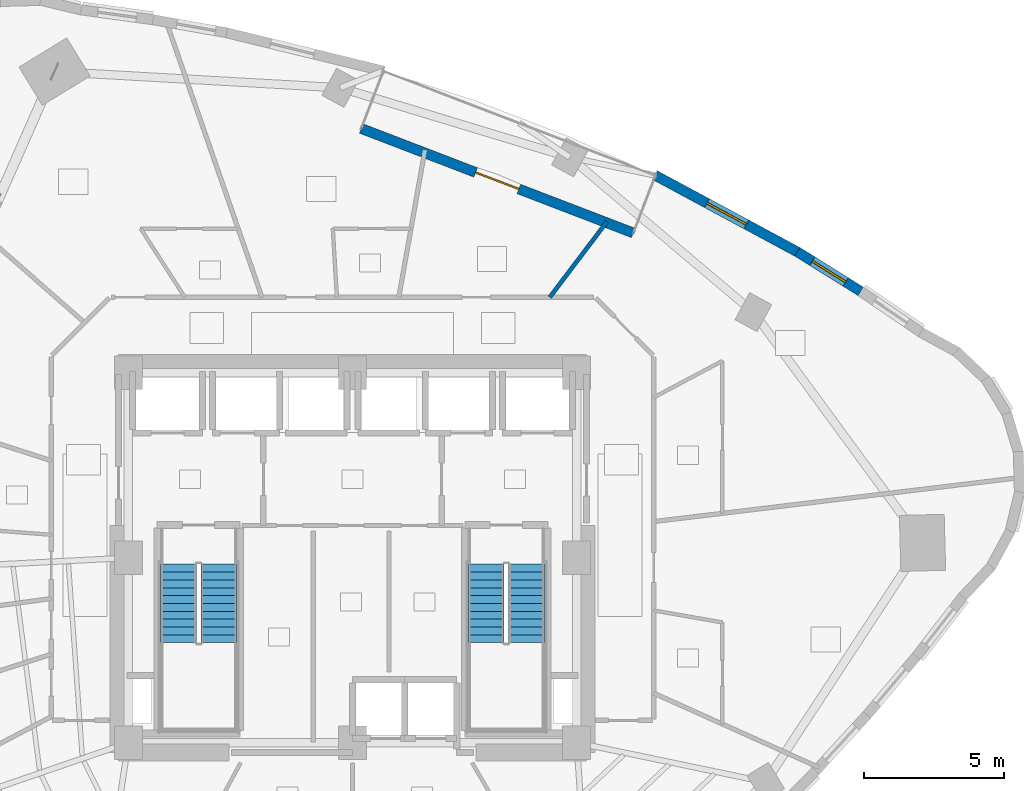
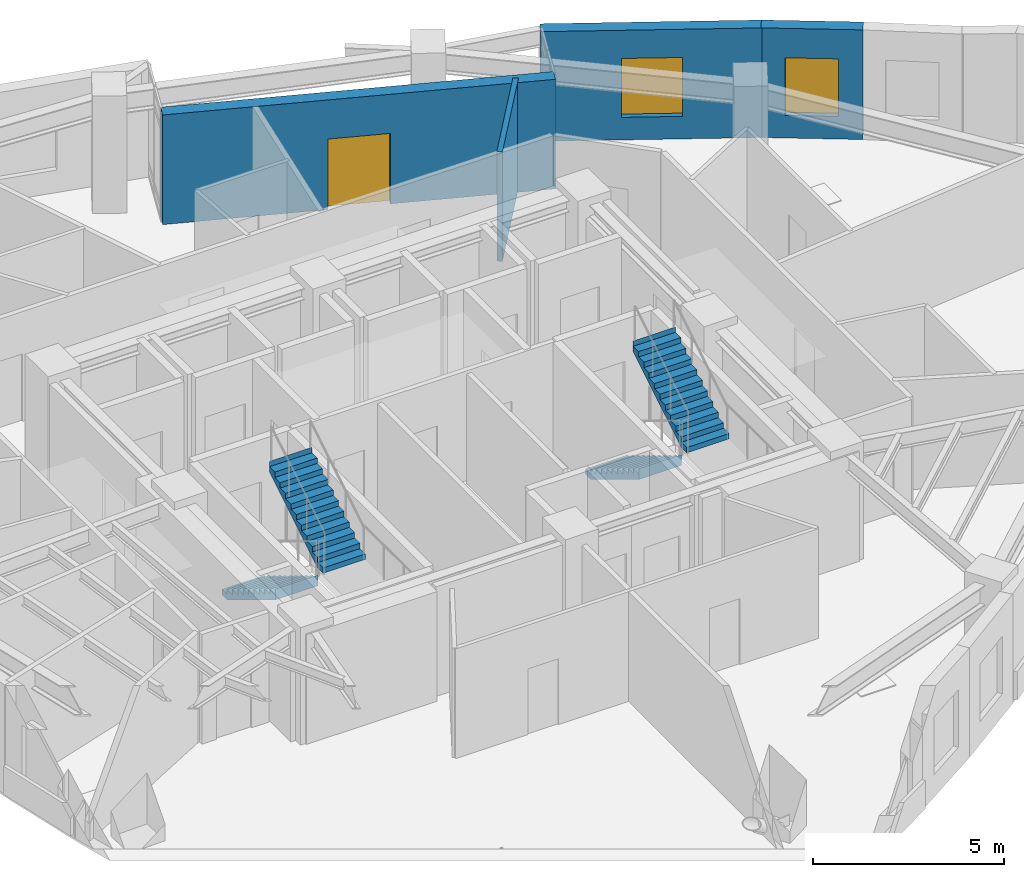
# One storey, part 10 of 13: 4 stair flights, 4 walls, 2 windows, 1 door, 3 openings, 2 elements without a shape of their own.
"""IFC4 building model written with IfcOpenShell, lengths in metres."""

import ifcopenshell
import ifcopenshell.guid

model = None  # the IFC model being written
_history = None  # IfcOwnerHistory: only IFC2X3 demands one
_inside = {}  # id of a spatial element -> (the spatial element, [elements in it])
_under = {}  # id of a project, library or spatial element -> (it, [spatial elements below it])
_declared = {}  # id of a project -> (the project, [libraries it declares])
_typed = {}  # id of a type object -> (the type object, [elements of that type])
_made_of = {}  # id of a material, layer set ... -> (it, [elements and type objects made of it])


def new_model(schema):
    """Start an empty IFC model of exactly this schema.

    Asked for "IFC4X3", IfcOpenShell would pick the latest addendum, in which some entities
    have other attributes; the version numbers below select the first issue.
    IFC2X3 requires an IfcOwnerHistory on every rooted entity: one is made here for all.
    """
    global model, _history
    if schema == "IFC4X3":
        model = ifcopenshell.file(schema_version=(4, 3, 0, 0))
    else:
        model = ifcopenshell.file(schema=schema)
    _inside.clear()
    _under.clear()
    _declared.clear()
    _typed.clear()
    _made_of.clear()
    _history = None
    if model.schema == "IFC2X3":
        org = make("IfcOrganization", Name="unknown")
        user = make(
            "IfcPersonAndOrganization",
            ThePerson=make("IfcPerson", FamilyName="unknown"),
            TheOrganization=org,
        )
        app = make(
            "IfcApplication",
            ApplicationDeveloper=org,
            Version="unknown",
            ApplicationFullName="unknown",
            ApplicationIdentifier="unknown",
        )
        _history = make(
            "IfcOwnerHistory",
            OwningUser=user,
            OwningApplication=app,
            ChangeAction="ADDED",
            CreationDate=0,
        )
    return model


def make(cls, **values):
    """One entity of the class cls with the attributes given. An attribute that is None is left unset."""
    return model.create_entity(
        cls, **{name: value for name, value in values.items() if value is not None}
    )


def rooted(cls, **values):
    """An entity with a GlobalId (a new one), such as an element, a storey or a relation."""
    return make(cls, GlobalId=ifcopenshell.guid.new(), OwnerHistory=_history, **values)


def si_unit(unit_type, name, prefix=None):
    """IfcSIUnit, for example si_unit("LENGTHUNIT", "METRE", prefix="MILLI")."""
    return make("IfcSIUnit", UnitType=unit_type, Prefix=prefix, Name=name)


def assignment(units):
    """IfcUnitAssignment: the units of a project."""
    return None if units is None else make("IfcUnitAssignment", Units=units)


def point(xyz):
    """IfcCartesianPoint."""
    return None if xyz is None else make("IfcCartesianPoint", Coordinates=xyz)


def direction(xyz):
    """IfcDirection."""
    return None if xyz is None else make("IfcDirection", DirectionRatios=xyz)


def frame(location, z_axis=None, x_axis=None):
    """IfcAxis2Placement3D, a coordinate frame: its origin and axes. An axis left out is left unset."""
    return make(
        "IfcAxis2Placement3D",
        Location=point(location),
        Axis=direction(z_axis),
        RefDirection=direction(x_axis),
    )


def frame_2d(location, x_axis=None):
    """IfcAxis2Placement2D, a coordinate frame in the plane: its origin and x axis."""
    return make(
        "IfcAxis2Placement2D", Location=point(location), RefDirection=direction(x_axis)
    )


def origin():
    """The frame at (0, 0, 0) with its axes left unset."""
    return frame((0.0, 0.0, 0.0))


def place(relative_to, where):
    """IfcLocalPlacement: puts the frame where relative to a parent placement (None: the world)."""
    return make(
        "IfcLocalPlacement", PlacementRelTo=relative_to, RelativePlacement=where
    )


def context(
    kind, dimensions, precision=None, world=None, true_north=None, identifier=None
):
    """IfcGeometricRepresentationContext, for example the 3D "Model" context."""
    return make(
        "IfcGeometricRepresentationContext",
        ContextIdentifier=identifier,
        ContextType=kind,
        CoordinateSpaceDimension=dimensions,
        Precision=precision,
        WorldCoordinateSystem=world,
        TrueNorth=true_north,
    )


def subcontext(parent, identifier, kind, view, scale=None):
    """IfcGeometricRepresentationSubContext, for example "Body" below "Model"."""
    return make(
        "IfcGeometricRepresentationSubContext",
        ContextIdentifier=identifier,
        ContextType=kind,
        ParentContext=parent,
        TargetScale=scale,
        TargetView=view,
    )


def project(units=None, contexts=None):
    """IfcProject with its units and contexts."""
    return rooted(
        "IfcProject",
        Name="project",
        RepresentationContexts=contexts,
        UnitsInContext=assignment(units),
    )


def spatial(cls, under=None, at=None, **own):
    """A site, building, storey or space (cls), placed at a placement, below another one or the project."""
    s = rooted(cls, ObjectPlacement=at, **own)
    if under is not None:
        _under.setdefault(under.id(), (under, []))[1].append(s)
    return s


def polyline(points):
    """IfcPolyline through the points."""
    return make("IfcPolyline", Points=[point(p) for p in points])


def profile(cls, at=None, kind="AREA", **sizes):
    """A parametric profile (cls). Its sizes go by their IFC names, for example OverallWidth=200.0."""
    return make(cls, ProfileType=kind, Position=at, **sizes)


def rectangle(**sizes):
    """IfcRectangleProfileDef."""
    return profile("IfcRectangleProfileDef", **sizes)


def outline(outer, holes=None, kind="AREA"):
    """IfcArbitraryClosedProfileDef: a profile drawn as a closed curve; with holes, ...WithVoids."""
    if holes is None:
        return make("IfcArbitraryClosedProfileDef", ProfileType=kind, OuterCurve=outer)
    return make(
        "IfcArbitraryProfileDefWithVoids",
        ProfileType=kind,
        OuterCurve=outer,
        InnerCurves=holes,
    )


def extrude(swept, where, along, depth):
    """IfcExtrudedAreaSolid: the profile swept, set in the frame where, extruded along a direction by depth."""
    return make(
        "IfcExtrudedAreaSolid",
        SweptArea=swept,
        Position=where,
        ExtrudedDirection=direction(along),
        Depth=depth,
    )


def shape(context_of_items, identifier, shape_type, items):
    """IfcShapeRepresentation: the items that make up one representation, for example the "Body"."""
    return make(
        "IfcShapeRepresentation",
        ContextOfItems=context_of_items,
        RepresentationIdentifier=identifier,
        RepresentationType=shape_type,
        Items=items,
    )


def material(Name=None, Category=None):
    """IfcMaterial."""
    return make("IfcMaterial", Name=Name, Category=Category)


def layer(
    of_material, thickness, ventilated=None, Name=None, Category=None, Priority=None
):
    """IfcMaterialLayer: one layer of a wall or slab, of a material (None: an air gap)."""
    return make(
        "IfcMaterialLayer",
        Material=of_material,
        LayerThickness=thickness,
        IsVentilated=ventilated,
        Name=Name,
        Category=Category,
        Priority=Priority,
    )


def layer_set(layers, Name=None):
    """IfcMaterialLayerSet."""
    return make("IfcMaterialLayerSet", MaterialLayers=layers, LayerSetName=Name)


def made_of(thing, what):
    """Note that an element or type object is made of a material, layer set ...; save() writes the relation."""
    if what is not None:
        _made_of.setdefault(what.id(), (what, []))[1].append(thing)
    return thing


def type_object(cls, material=None, **own):
    """A type object (cls), such as IfcWallType, which elements share."""
    return made_of(rooted(cls, **own), material)


def element(
    cls,
    number,
    at=None,
    inside=None,
    cuts=None,
    type_object=None,
    material=None,
    context=None,
    identifier="Body",
    shape_type=None,
    held_by="IfcProductDefinitionShape",
    body=None,
    shapes=None,
    **own,
):
    """One element of the class cls, such as IfcWall. Its Tag is "e" and its number.

    at: its placement. inside: the storey or other place that contains it. cuts: it is an
    opening in that element (IfcRelVoidsElement). A single representation is given by context,
    identifier, shape_type and body (its items); several are given by shapes. held_by: the class
    of the entity that holds the representations. save() writes the other relations.
    """
    e = rooted(cls, Tag="e%d" % number, ObjectPlacement=at, **own)
    if body is not None:
        shapes = [shape(context, identifier, shape_type, body)]
    if shapes is not None:
        e.Representation = make(held_by, Representations=shapes)
    if inside is not None:
        _inside.setdefault(inside.id(), (inside, []))[1].append(e)
    if cuts is not None:
        rooted(
            "IfcRelVoidsElement", RelatingBuildingElement=cuts, RelatedOpeningElement=e
        )
    if type_object is not None:
        _typed.setdefault(type_object.id(), (type_object, []))[1].append(e)
    return made_of(e, material)


def fill(opening, filler):
    """IfcRelFillsElement: the door or window that sits in an opening."""
    return rooted(
        "IfcRelFillsElement",
        RelatingOpeningElement=opening,
        RelatedBuildingElement=filler,
    )


def aggregate(whole, parts):
    """IfcRelAggregates: a whole, such as a stair, and the parts it consists of."""
    return rooted("IfcRelAggregates", RelatingObject=whole, RelatedObjects=parts)


def save(model, path):
    """Write the relations noted so far, then the file.

    IfcRelAggregates (storeys below a building ...), IfcRelContainedInSpatialStructure (elements
    in a storey), IfcRelDefinesByType, IfcRelAssociatesMaterial and IfcRelDeclares: one each for
    every whole, place, type object, material and project.
    """
    for whole, parts in _under.values():
        aggregate(whole, parts)
    for where, things in _inside.values():
        rooted(
            "IfcRelContainedInSpatialStructure",
            RelatedElements=things,
            RelatingStructure=where,
        )
    for kind, things in _typed.values():
        rooted("IfcRelDefinesByType", RelatedObjects=things, RelatingType=kind)
    for what, things in _made_of.values():
        rooted("IfcRelAssociatesMaterial", RelatedObjects=things, RelatingMaterial=what)
    for by, libraries in _declared.values():
        rooted("IfcRelDeclares", RelatingContext=by, RelatedDefinitions=libraries)
    model.write(path)


model = new_model("IFC4")

# Units and contexts
model_context = context("Model", 3, precision=1e-05, world=origin(), true_north=direction((0.0, 1.0)))
body_context = subcontext(model_context, "Body", "Model", "MODEL_VIEW")
ifc_project = project(units=[si_unit("LENGTHUNIT", "METRE"), si_unit("AREAUNIT", "SQUARE_METRE"), si_unit("VOLUMEUNIT", "CUBIC_METRE"), si_unit("PLANEANGLEUNIT", "RADIAN"), si_unit("MASSUNIT", "GRAM", prefix="KILO")], contexts=[model_context])

# Site, building, storey
site_placement = place(None, origin())
site = spatial("IfcSite", under=ifc_project, at=site_placement, CompositionType="ELEMENT")
building_placement = place(site_placement, origin())
building = spatial("IfcBuilding", under=site, at=building_placement, Name="Ndelora Gate Hotel", CompositionType="ELEMENT")
storey_placement = place(building_placement, frame((0.0, 0.0, 157.25)))
storey = spatial("IfcBuildingStorey", under=building, at=storey_placement, Name="L39", CompositionType="ELEMENT", Elevation=157.25)

# Wall, opening, door
ifc_material_1 = material(Name="Clay Brick Masonry", Category="masonry")
ifc_layer_1 = layer(ifc_material_1, 0.360107421875)
ifc_layer_set_1 = layer_set([ifc_layer_1], Name="Clay Brick Masonry")
wall_type_1 = type_object("IfcWallType", Name="WL-BRICK-360", PredefinedType="SOLIDWALL", material=ifc_layer_set_1)
wall_1_placement = place(storey_placement, frame((0.3115234375, 15.32177734375, 0.0), z_axis=(0.0, 0.0, 1.0), x_axis=(0.933571699069, -0.358390684445, 0.0)))
wall_1 = element("IfcWall", 1, at=wall_1_placement, inside=storey, type_object=wall_type_1, Name="L39 Sky-Garden Loggia Rear Brick Wall", PredefinedType="SOLIDWALL", context=body_context, shape_type="SweptSolid", body=[
    extrude(rectangle(XDim=10.400146484375, YDim=0.360107421875, at=frame_2d((5.2001953125, 0.0))), origin(), (0.0, 0.0, 1.0), 3.5),
])
opening_1_placement = place(wall_1_placement, frame((4.375, 0.0, 0.0)))
opening_1 = element("IfcOpeningElement", 2, at=opening_1_placement, cuts=wall_1, Name="Opening TD1", PredefinedType="OPENING", context=body_context, shape_type="SweptSolid", body=[
    extrude(rectangle(XDim=1.64990234375, YDim=2.25, at=frame_2d((0.824951171875, 1.125))), frame((0.0, 0.18994140625, 0.0), z_axis=(0.0, -1.0, 0.0), x_axis=(1.0, 0.0, 0.0)), (0.0, 0.0, 1.0), 0.380126953125),
])
ifc_material_2 = material(Name="Architectural Bronze Glazed Door", Category="metal")
door_type = type_object("IfcDoorType", Name="DR-TER-1650", OperationType="DOUBLE_DOOR_SINGLE_SWING", PredefinedType="DOOR", material=ifc_material_2)
door_placement = place(opening_1_placement, origin())
door = element("IfcDoor", 3, at=door_placement, inside=storey, type_object=door_type, Name="L39 Sky-Garden Terrace Double Door TD1", OperationType="DOUBLE_DOOR_SINGLE_SWING", OverallHeight=2.25, OverallWidth=1.64990234375, PredefinedType="DOOR", context=body_context, shape_type="SweptSolid", body=[
    extrude(rectangle(XDim=1.64990234375, YDim=2.25, at=frame_2d((0.824951171875, 1.125))), frame((0.0, 0.02490234375, 0.0), z_axis=(0.0, -1.0, 0.0), x_axis=(1.0, 0.0, 0.0)), (0.0, 0.0, 1.0), 0.050048828125),
])
fill(opening_1, door)

# Wall, opening, window
wall_2_placement = place(storey_placement, frame((15.87451171875, 10.923583984375, 0.0), z_axis=(0.0, 0.0, 1.0), x_axis=(0.848332062802, -0.529464551431, 0.0)))
wall_2 = element("IfcWall", 4, at=wall_2_placement, inside=storey, type_object=wall_type_1, Name="L39 Tower Brick Pier-and-Spandrel Wall TWR-50", PredefinedType="SOLIDWALL", context=body_context, shape_type="SweptSolid", body=[
    extrude(rectangle(XDim=2.669921875, YDim=0.360107421875, at=frame_2d((1.3349609375, 0.0))), origin(), (0.0, 0.0, 1.0), 3.5),
])
opening_2_placement = place(wall_2_placement, frame((0.635009765625, 0.0, 0.719970703125)))
opening_2 = element("IfcOpeningElement", 5, at=opening_2_placement, cuts=wall_2, Name="Opening W02", PredefinedType="OPENING", context=body_context, shape_type="SweptSolid", body=[
    extrude(rectangle(XDim=1.39990234375, YDim=1.840087890625, at=frame_2d((0.699951171875, 0.919921875))), frame((0.0, 0.18994140625, 0.0), z_axis=(0.0, -1.0, 0.0), x_axis=(1.0, 0.0, 0.0)), (0.0, 0.0, 1.0), 0.380126953125),
])
ifc_material_3 = material(Name="Insulated Low-E Double Glazing in Bronze Aluminium Frame", Category="aluminium")
window_type_1 = type_object("IfcWindowType", Name="WN-DEEP-1400", PartitioningType="SINGLE_PANEL", PredefinedType="WINDOW", material=ifc_material_3)
window_1_placement = place(opening_2_placement, origin())
window_1 = element("IfcWindow", 6, at=window_1_placement, inside=storey, type_object=window_type_1, Name="L39 Deep-Set Brick-Pier Window W02", OverallHeight=1.840087890625, OverallWidth=1.39990234375, PartitioningType="SINGLE_PANEL", PredefinedType="WINDOW", context=body_context, shape_type="SweptSolid", body=[
    extrude(rectangle(XDim=1.39990234375, YDim=1.840087890625, at=frame_2d((0.699951171875, 0.919921875))), frame((0.0, 0.030029296875, 0.0), z_axis=(0.0, -1.0, 0.0), x_axis=(1.0, 0.0, 0.0)), (0.0, 0.0, 1.0), 0.06005859375),
])
fill(opening_2, window_1)

wall_3_placement = place(storey_placement, frame((10.787109375, 13.660400390625, 0.0), z_axis=(0.0, 0.0, 1.0), x_axis=(0.880519529696, -0.474009871019, 0.0)))
wall_3 = element("IfcWall", 7, at=wall_3_placement, inside=storey, type_object=wall_type_1, Name="L39 Tower Brick Pier-and-Spandrel Wall TWR-51", PredefinedType="SOLIDWALL", context=body_context, shape_type="SweptSolid", body=[
    extrude(rectangle(XDim=5.826904296875, YDim=0.360107421875, at=frame_2d((2.91357421875, 0.0))), origin(), (0.0, 0.0, 1.0), 3.5),
])
opening_3_placement = place(wall_3_placement, frame((2.11328125, 0.0, 0.719970703125)))
opening_3 = element("IfcOpeningElement", 8, at=opening_3_placement, cuts=wall_3, Name="Opening W01", PredefinedType="OPENING", context=body_context, shape_type="SweptSolid", body=[
    extrude(rectangle(XDim=1.60009765625, YDim=1.8798828125, at=frame_2d((0.800048828125, 0.93994140625))), frame((0.0, 0.18994140625, 0.0), z_axis=(0.0, -1.0, 0.0), x_axis=(1.0, 0.0, 0.0)), (0.0, 0.0, 1.0), 0.380126953125),
])
window_type_2 = type_object("IfcWindowType", Name="WN-DEEP-1600", PartitioningType="SINGLE_PANEL", PredefinedType="WINDOW", material=ifc_material_3)
window_2_placement = place(opening_3_placement, origin())
window_2 = element("IfcWindow", 9, at=window_2_placement, inside=storey, type_object=window_type_2, Name="L39 Deep-Set Brick-Pier Window W01", OverallHeight=1.8798828125, OverallWidth=1.60009765625, PartitioningType="SINGLE_PANEL", PredefinedType="WINDOW", context=body_context, shape_type="SweptSolid", body=[
    extrude(rectangle(XDim=1.60009765625, YDim=1.8798828125, at=frame_2d((0.800048828125, 0.93994140625))), frame((0.0, 0.030029296875, 0.0), z_axis=(0.0, -1.0, 0.0), x_axis=(1.0, 0.0, 0.0)), (0.0, 0.0, 1.0), 0.06005859375),
])
fill(opening_3, window_2)

# Wall
ifc_material_4 = material(Name="Fire-Rated Gypsum Stud Partition", Category="gypsum")
ifc_layer_2 = layer(ifc_material_4, 0.14990234375)
ifc_layer_set_2 = layer_set([ifc_layer_2], Name="Fire-Rated Gypsum Stud Partition")
wall_type_2 = type_object("IfcWallType", Name="WL-PART-150", PredefinedType="PARTITIONING", material=ifc_layer_set_2)
wall_4_placement = place(storey_placement, frame((7.040283203125, 9.300048828125, 0.0), z_axis=(0.0, 0.0, 1.0), x_axis=(0.603559151409, 0.797318224268, 0.0)))
element("IfcWall", 10, at=wall_4_placement, inside=storey, type_object=wall_type_2, Name="L39 Interior Wall IW-5", PredefinedType="PARTITIONING", context=body_context, shape_type="SweptSolid", body=[
    extrude(rectangle(XDim=3.3857421875, YDim=0.14990234375, at=frame_2d((1.69287109375, 0.0))), origin(), (0.0, 0.0, 1.0), 3.5),
])

# Stair, stair flights
ifc_material_5 = material(Name="Precast concrete C40/50", Category="concrete")
stair_type = type_object("IfcStairType", Name="STR-DOG-CORE", PredefinedType="HALF_TURN_STAIR", material=ifc_material_5)
stair_1_placement = place(storey_placement, origin())
stair_1 = element("IfcStair", 11, at=stair_1_placement, inside=storey, type_object=stair_type, Name="L39 Protected Core Exit Stair ST4", PredefinedType="HALF_TURN_STAIR")
stair_flight_type = type_object("IfcStairFlightType", Name="STF-PRECAST", PredefinedType="STRAIGHT", material=ifc_material_5)
stair_flight_1_placement = place(storey_placement, frame((-6.2099609375, -0.22998046875, 0.0), z_axis=(0.0, 0.0, 1.0), x_axis=(0.0, -1.0, 0.0)))
stair_flight_1 = element("IfcStairFlight", 12, at=stair_flight_1_placement, type_object=stair_flight_type, Name="ST4 flight 1", NumberOfRisers=11, NumberOfTreads=10, PredefinedType="STRAIGHT", RiserHeight=0.170454545, TreadLength=0.28, context=body_context, shape_type="SweptSolid", body=[
    extrude(outline(polyline([(-0.00048828125, 0.0), (-0.00048828125, 0.17041015625), (0.0, 0.17041015625), (0.280029296875, 0.17041015625), (0.280029296875, 0.3408203125), (0.56005859375, 0.3408203125), (0.56005859375, 0.511474609375), (0.840087890625, 0.511474609375), (0.840087890625, 0.681884765625), (1.1201171875, 0.681884765625), (1.1201171875, 0.852294921875), (1.39990234375, 0.852294921875), (1.39990234375, 1.022705078125), (1.679931640625, 1.022705078125), (1.679931640625, 1.193115234375), (1.9599609375, 1.193115234375), (1.9599609375, 1.363525390625), (2.239990234375, 1.363525390625), (2.239990234375, 1.5341796875), (2.52001953125, 1.5341796875), (2.52001953125, 1.70458984375), (2.800048828125, 1.70458984375), (2.800048828125, 1.875), (2.800537109375, 1.875), (2.800537109375, 1.695068359375), (2.800048828125, 1.529052734375), (0.288330078125, 0.0), (-0.00048828125, 0.0)])), frame((0.0, 0.64013671875, 0.0), z_axis=(0.0, -1.0, 0.0), x_axis=(1.0, 0.0, 0.0)), (0.0, 0.0, 1.0), 1.280029296875),
])
stair_flight_2_placement = place(storey_placement, frame((-4.77001953125, -3.030029296875, 1.875), z_axis=(0.0, 0.0, 1.0), x_axis=(0.0, 1.0, 0.0)))
stair_flight_2 = element("IfcStairFlight", 13, at=stair_flight_2_placement, type_object=stair_flight_type, Name="ST4 flight 2", NumberOfRisers=11, NumberOfTreads=10, PredefinedType="STRAIGHT", RiserHeight=0.170454545, TreadLength=0.28, context=body_context, shape_type="SweptSolid", body=[
    extrude(outline(polyline([(-0.00048828125, 0.0), (-0.00048828125, 0.17041015625), (0.0, 0.17041015625), (0.280029296875, 0.17041015625), (0.280029296875, 0.3408203125), (0.56005859375, 0.3408203125), (0.56005859375, 0.511474609375), (0.840087890625, 0.511474609375), (0.840087890625, 0.681884765625), (1.1201171875, 0.681884765625), (1.1201171875, 0.852294921875), (1.39990234375, 0.852294921875), (1.39990234375, 1.022705078125), (1.679931640625, 1.022705078125), (1.679931640625, 1.193115234375), (1.9599609375, 1.193115234375), (1.9599609375, 1.363525390625), (2.239990234375, 1.363525390625), (2.239990234375, 1.5341796875), (2.52001953125, 1.5341796875), (2.52001953125, 1.70458984375), (2.800048828125, 1.70458984375), (2.800048828125, 1.875), (2.800537109375, 1.875), (2.800537109375, 1.695068359375), (2.800048828125, 1.529052734375), (0.288330078125, 0.0), (-0.00048828125, 0.0)])), frame((0.0, 0.64013671875, 0.0), z_axis=(0.0, -1.0, 0.0), x_axis=(1.0, 0.0, 0.0)), (0.0, 0.0, 1.0), 1.280029296875),
])
aggregate(stair_1, [stair_flight_1, stair_flight_2])

stair_2_placement = place(storey_placement, origin())
stair_2 = element("IfcStair", 14, at=stair_2_placement, inside=storey, type_object=stair_type, Name="L39 Protected Core Exit Stair ST5", PredefinedType="HALF_TURN_STAIR")
stair_flight_3_placement = place(storey_placement, frame((4.77001953125, -0.22998046875, 0.0), z_axis=(0.0, 0.0, 1.0), x_axis=(0.0, -1.0, 0.0)))
stair_flight_3 = element("IfcStairFlight", 15, at=stair_flight_3_placement, type_object=stair_flight_type, Name="ST5 flight 1", NumberOfRisers=11, NumberOfTreads=10, PredefinedType="STRAIGHT", RiserHeight=0.170454545, TreadLength=0.28, context=body_context, shape_type="SweptSolid", body=[
    extrude(outline(polyline([(-0.00048828125, 0.0), (-0.00048828125, 0.17041015625), (0.0, 0.17041015625), (0.280029296875, 0.17041015625), (0.280029296875, 0.3408203125), (0.56005859375, 0.3408203125), (0.56005859375, 0.511474609375), (0.840087890625, 0.511474609375), (0.840087890625, 0.681884765625), (1.1201171875, 0.681884765625), (1.1201171875, 0.852294921875), (1.39990234375, 0.852294921875), (1.39990234375, 1.022705078125), (1.679931640625, 1.022705078125), (1.679931640625, 1.193115234375), (1.9599609375, 1.193115234375), (1.9599609375, 1.363525390625), (2.239990234375, 1.363525390625), (2.239990234375, 1.5341796875), (2.52001953125, 1.5341796875), (2.52001953125, 1.70458984375), (2.800048828125, 1.70458984375), (2.800048828125, 1.875), (2.800537109375, 1.875), (2.800537109375, 1.695068359375), (2.800048828125, 1.529052734375), (0.288330078125, 0.0), (-0.00048828125, 0.0)])), frame((0.0, 0.64013671875, 0.0), z_axis=(0.0, -1.0, 0.0), x_axis=(1.0, 0.0, 0.0)), (0.0, 0.0, 1.0), 1.280029296875),
])
stair_flight_4_placement = place(storey_placement, frame((6.2099609375, -3.030029296875, 1.875), z_axis=(0.0, 0.0, 1.0), x_axis=(0.0, 1.0, 0.0)))
stair_flight_4 = element("IfcStairFlight", 16, at=stair_flight_4_placement, type_object=stair_flight_type, Name="ST5 flight 2", NumberOfRisers=11, NumberOfTreads=10, PredefinedType="STRAIGHT", RiserHeight=0.170454545, TreadLength=0.28, context=body_context, shape_type="SweptSolid", body=[
    extrude(outline(polyline([(-0.00048828125, 0.0), (-0.00048828125, 0.17041015625), (0.0, 0.17041015625), (0.280029296875, 0.17041015625), (0.280029296875, 0.3408203125), (0.56005859375, 0.3408203125), (0.56005859375, 0.511474609375), (0.840087890625, 0.511474609375), (0.840087890625, 0.681884765625), (1.1201171875, 0.681884765625), (1.1201171875, 0.852294921875), (1.39990234375, 0.852294921875), (1.39990234375, 1.022705078125), (1.679931640625, 1.022705078125), (1.679931640625, 1.193115234375), (1.9599609375, 1.193115234375), (1.9599609375, 1.363525390625), (2.239990234375, 1.363525390625), (2.239990234375, 1.5341796875), (2.52001953125, 1.5341796875), (2.52001953125, 1.70458984375), (2.800048828125, 1.70458984375), (2.800048828125, 1.875), (2.800537109375, 1.875), (2.800537109375, 1.695068359375), (2.800048828125, 1.529052734375), (0.288330078125, 0.0), (-0.00048828125, 0.0)])), frame((0.0, 0.64013671875, 0.0), z_axis=(0.0, -1.0, 0.0), x_axis=(1.0, 0.0, 0.0)), (0.0, 0.0, 1.0), 1.280029296875),
])
aggregate(stair_2, [stair_flight_3, stair_flight_4])

save(model, "model.ifc")
